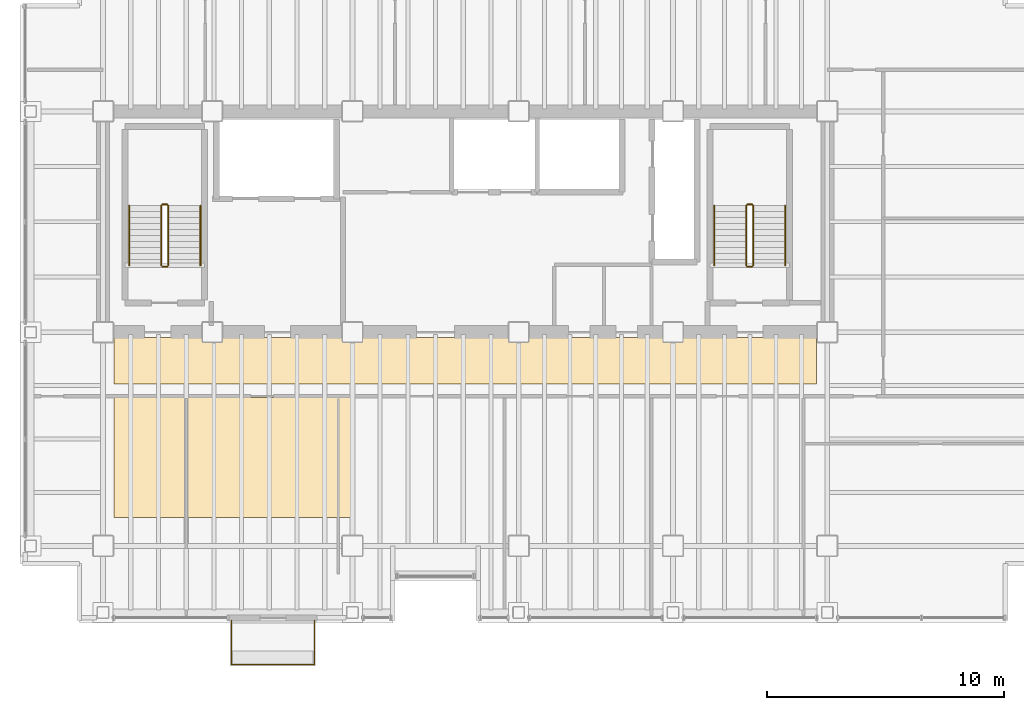
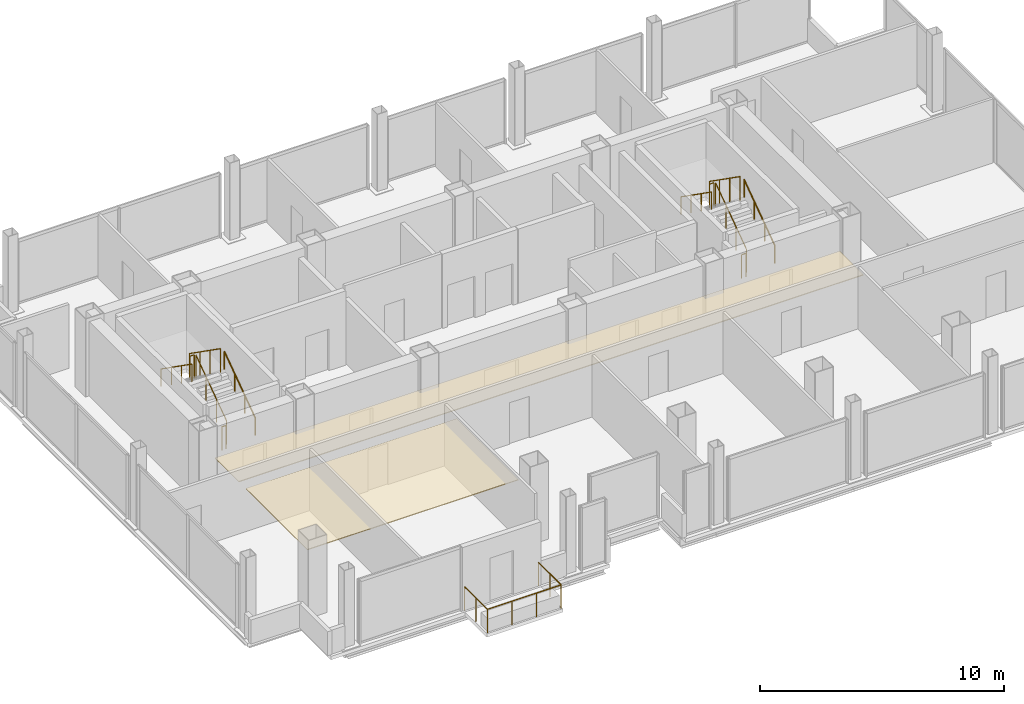
# One storey, part 15 of 15: 13 railings, 2 coverings.
"""IFC4 building model written with IfcOpenShell, lengths in metres."""

from ifc_helpers import new_model, si_unit, direction, frame, origin, origin_2d, place, context, subcontext, project, spatial, polyline, circle, outline, extrude, material, layer, layer_set, type_object, element, save


model = new_model("IFC4")

# Units and contexts
model_context = context("Model", 3, precision=1e-05, world=origin(), true_north=direction((0.0, 1.0)))
body_context = subcontext(model_context, "Body", "Model", "MODEL_VIEW")
ifc_project = project(units=[si_unit("LENGTHUNIT", "METRE"), si_unit("AREAUNIT", "SQUARE_METRE"), si_unit("VOLUMEUNIT", "CUBIC_METRE"), si_unit("PLANEANGLEUNIT", "RADIAN"), si_unit("MASSUNIT", "GRAM", prefix="KILO")], contexts=[model_context])

# Site, building, storey
site_placement = place(None, origin())
site = spatial("IfcSite", under=ifc_project, at=site_placement, CompositionType="ELEMENT")
building_placement = place(site_placement, origin())
building = spatial("IfcBuilding", under=site, at=building_placement, Name="Noeulbin Bourse Tower", CompositionType="ELEMENT")
storey_placement = place(building_placement, frame((0.0, 0.0, 173.39990234375)))
storey = spatial("IfcBuildingStorey", under=building, at=storey_placement, Name="L43", CompositionType="ELEMENT", Elevation=173.39990234375)

# Coverings
ifc_material_1 = material(Name="Perforated Mineral-Fibre Acoustic Tile")
ifc_layer_1 = layer(ifc_material_1, 0.0400390625)
ifc_layer_set_1 = layer_set([ifc_layer_1], Name="Perforated Mineral-Fibre Acoustic Tile")
covering_type = type_object("IfcCoveringType", Name="COV-CEIL-ACT", PredefinedType="CEILING", material=ifc_layer_set_1)
covering_1_placement = place(storey_placement, frame((0.0, 0.0, 2.110107421875)))
element("IfcCovering", 1, at=covering_1_placement, inside=storey, type_object=covering_type, Name="Corridor Suspended Ceiling L43", PredefinedType="CEILING", context=body_context, shape_type="SweptSolid", body=[
    extrude(outline(polyline([(13.949951171875, 26.820068359375), (43.550048828125, 26.820068359375), (43.550048828125, 28.780029296875), (13.949951171875, 28.780029296875), (13.949951171875, 26.820068359375)])), origin(), (0.0, 0.0, 1.0), 0.0400390625),
])
covering_2_placement = place(storey_placement, frame((0.0, 0.0, 2.110107421875)))
element("IfcCovering", 2, at=covering_2_placement, inside=storey, type_object=covering_type, Name="Trading Suite Acoustic Ceiling L43", PredefinedType="CEILING", context=body_context, shape_type="SweptSolid", body=[
    extrude(outline(polyline([(13.949951171875, 21.199951171875), (23.949951171875, 21.199951171875), (23.949951171875, 26.25), (13.949951171875, 26.25), (13.949951171875, 21.199951171875)])), origin(), (0.0, 0.0, 1.0), 0.0400390625),
])

# Railings
ifc_material_2 = material(Name="Laminated SentryGlas and Stainless Steel 316", Category="steel")
ifc_layer_2 = layer(ifc_material_2, 0.06005859375)
ifc_layer_set_2 = layer_set([ifc_layer_2], Name="Laminated SentryGlas and Stainless Steel 316")
railing_type_1 = type_object("IfcRailingType", Name="RLG-BAL-1200", PredefinedType="BALUSTRADE", material=ifc_layer_set_2)
railing_1_placement = place(storey_placement, frame((18.89990234375, 16.8701171875, 0.0)))
element("IfcRailing", 3, at=railing_1_placement, inside=storey, type_object=railing_type_1, Name="Tree-Balcony Glazed Balustrade L43", PredefinedType="BALUSTRADE", context=body_context, shape_type="SweptSolid", body=[
    extrude(circle(Radius=0.02392578125, at=origin_2d()), frame((0.0, 0.0, 1.17578125), z_axis=(0.0, -1.0, 0.0), x_axis=(1.0, 0.0, 0.0)), (0.0, 0.0, 1.0), 1.8701171875),
    extrude(circle(Radius=0.02392578125, at=origin_2d()), frame((0.0, -1.8701171875, 1.17578125), z_axis=(1.0, 0.0, 0.0), x_axis=(0.0, 1.0, 0.0)), (0.0, 0.0, 1.0), 3.5),
    extrude(circle(Radius=0.02392578125, at=origin_2d()), frame((3.5, -1.8701171875, 1.17578125), z_axis=(0.0, 1.0, 0.0), x_axis=(-1.0, 0.0, 0.0)), (0.0, 0.0, 1.0), 1.8701171875),
    extrude(circle(Radius=0.02099609375, at=origin_2d()), origin(), (0.0, 0.0, 1.0), 1.15185546875),
    extrude(circle(Radius=0.02099609375, at=origin_2d()), frame((0.0, -0.93505859375, 0.0)), (0.0, 0.0, 1.0), 1.15185546875),
    extrude(circle(Radius=0.02099609375, at=origin_2d()), frame((0.0, -1.8701171875, 0.0)), (0.0, 0.0, 1.0), 1.15185546875),
    extrude(circle(Radius=0.02099609375, at=origin_2d()), frame((1.166748046875, -1.8701171875, 0.0)), (0.0, 0.0, 1.0), 1.15185546875),
    extrude(circle(Radius=0.02099609375, at=origin_2d()), frame((2.333251953125, -1.8701171875, 0.0)), (0.0, 0.0, 1.0), 1.15185546875),
    extrude(circle(Radius=0.02099609375, at=origin_2d()), frame((3.5, -1.8701171875, 0.0)), (0.0, 0.0, 1.0), 1.15185546875),
    extrude(circle(Radius=0.02099609375, at=origin_2d()), frame((3.5, -0.93505859375, 0.0)), (0.0, 0.0, 1.0), 1.15185546875),
    extrude(circle(Radius=0.02099609375, at=origin_2d()), frame((3.5, 0.0, 0.0)), (0.0, 0.0, 1.0), 1.15185546875),
])
ifc_material_3 = material(Name="Painted Tubular Steel S355", Category="steel")
ifc_layer_3 = layer(ifc_material_3, 0.048095703125)
ifc_layer_set_3 = layer_set([ifc_layer_3], Name="Painted Tubular Steel S355")
railing_type_2 = type_object("IfcRailingType", Name="RLG-STR-GRD", PredefinedType="GUARDRAIL", material=ifc_layer_set_3)
railing_2_placement = place(storey_placement, frame((16.25, 31.81005859375, 0.177490234375)))
element("IfcRailing", 4, at=railing_2_placement, inside=storey, type_object=railing_type_2, Name="L43 ST-1 stair guard 1", PredefinedType="GUARDRAIL", context=body_context, shape_type="SweptSolid", body=[
    extrude(circle(Radius=0.02392578125, at=origin_2d()), frame((0.0, 0.0, 1.17578125), z_axis=(0.0, 0.817904474719, 0.575354039036), x_axis=(-1.0, 0.0, 0.0)), (0.0, 0.0, 1.0), 3.0810546875),
    extrude(circle(Radius=0.02099609375, at=origin_2d()), origin(), (0.0, 0.0, 1.0), 1.15185546875),
    extrude(circle(Radius=0.02099609375, at=origin_2d()), frame((0.0, 0.840087890625, 0.5908203125)), (0.0, 0.0, 1.0), 1.15185546875),
    extrude(circle(Radius=0.02099609375, at=origin_2d()), frame((0.0, 1.679931640625, 1.181884765625)), (0.0, 0.0, 1.0), 1.15185546875),
    extrude(circle(Radius=0.02099609375, at=origin_2d()), frame((0.0, 2.52001953125, 1.772705078125)), (0.0, 0.0, 1.0), 1.15185546875),
])
railing_3_placement = place(storey_placement, frame((16.199951171875, 34.3798828125, 1.9501953125)))
element("IfcRailing", 5, at=railing_3_placement, inside=storey, type_object=railing_type_2, Name="L43 ST-1 stair guard 2", PredefinedType="GUARDRAIL", context=body_context, shape_type="SweptSolid", body=[
    extrude(circle(Radius=0.02392578125, at=origin_2d()), frame((0.0, 0.0, 1.17578125), z_axis=(-1.0, 0.0, 0.0), x_axis=(0.0, -1.0, 0.0)), (0.0, 0.0, 1.0), 0.199951171875),
    extrude(circle(Radius=0.02099609375, at=origin_2d()), origin(), (0.0, 0.0, 1.0), 1.15185546875),
    extrude(circle(Radius=0.02099609375, at=origin_2d()), frame((-0.199951171875, 0.0, 0.0)), (0.0, 0.0, 1.0), 1.15185546875),
])
railing_4_placement = place(storey_placement, frame((15.949951171875, 34.330078125, 2.12744140625)))
element("IfcRailing", 6, at=railing_4_placement, inside=storey, type_object=railing_type_2, Name="L43 ST-1 stair guard 3", PredefinedType="GUARDRAIL", context=body_context, shape_type="SweptSolid", body=[
    extrude(circle(Radius=0.02392578125, at=origin_2d()), frame((0.0, 0.0, 1.17578125), z_axis=(0.0, -0.817904474719, 0.575354039036), x_axis=(1.0, 0.0, 0.0)), (0.0, 0.0, 1.0), 3.0810546875),
    extrude(circle(Radius=0.02099609375, at=origin_2d()), origin(), (0.0, 0.0, 1.0), 1.15185546875),
    extrude(circle(Radius=0.02099609375, at=origin_2d()), frame((0.0, -0.840087890625, 0.5908203125)), (0.0, 0.0, 1.0), 1.15185546875),
    extrude(circle(Radius=0.02099609375, at=origin_2d()), frame((0.0, -1.679931640625, 1.181884765625)), (0.0, 0.0, 1.0), 1.15185546875),
    extrude(circle(Radius=0.02099609375, at=origin_2d()), frame((0.0, -2.52001953125, 1.772705078125)), (0.0, 0.0, 1.0), 1.15185546875),
])
railing_5_placement = place(storey_placement, frame((16.199951171875, 31.760009765625, 0.0)))
element("IfcRailing", 7, at=railing_5_placement, inside=storey, type_object=railing_type_2, Name="L43 ST-1 stair guard 4", PredefinedType="GUARDRAIL", context=body_context, shape_type="SweptSolid", body=[
    extrude(circle(Radius=0.02392578125, at=origin_2d()), frame((0.0, 0.0, 1.17578125), z_axis=(-1.0, 0.0, 0.0), x_axis=(0.0, -1.0, 0.0)), (0.0, 0.0, 1.0), 0.199951171875),
    extrude(circle(Radius=0.02099609375, at=origin_2d()), origin(), (0.0, 0.0, 1.0), 1.15185546875),
    extrude(circle(Radius=0.02099609375, at=origin_2d()), frame((-0.199951171875, 0.0, 0.0)), (0.0, 0.0, 1.0), 1.15185546875),
])
railing_6_placement = place(storey_placement, frame((40.8798828125, 31.81005859375, 0.177490234375)))
element("IfcRailing", 8, at=railing_6_placement, inside=storey, type_object=railing_type_2, Name="L43 ST-2 stair guard 1", PredefinedType="GUARDRAIL", context=body_context, shape_type="SweptSolid", body=[
    extrude(circle(Radius=0.02392578125, at=origin_2d()), frame((0.0, 0.0, 1.17578125), z_axis=(0.0, 0.817904474719, 0.575354039036), x_axis=(-1.0, 0.0, 0.0)), (0.0, 0.0, 1.0), 3.0810546875),
    extrude(circle(Radius=0.02099609375, at=origin_2d()), origin(), (0.0, 0.0, 1.0), 1.15185546875),
    extrude(circle(Radius=0.02099609375, at=origin_2d()), frame((0.0, 0.840087890625, 0.5908203125)), (0.0, 0.0, 1.0), 1.15185546875),
    extrude(circle(Radius=0.02099609375, at=origin_2d()), frame((0.0, 1.679931640625, 1.181884765625)), (0.0, 0.0, 1.0), 1.15185546875),
    extrude(circle(Radius=0.02099609375, at=origin_2d()), frame((0.0, 2.52001953125, 1.772705078125)), (0.0, 0.0, 1.0), 1.15185546875),
])
railing_7_placement = place(storey_placement, frame((40.830078125, 34.3798828125, 1.9501953125)))
element("IfcRailing", 9, at=railing_7_placement, inside=storey, type_object=railing_type_2, Name="L43 ST-2 stair guard 2", PredefinedType="GUARDRAIL", context=body_context, shape_type="SweptSolid", body=[
    extrude(circle(Radius=0.02392578125, at=origin_2d()), frame((0.0, 0.0, 1.17578125), z_axis=(-1.0, 0.0, 0.0), x_axis=(0.0, -1.0, 0.0)), (0.0, 0.0, 1.0), 0.2001953125),
    extrude(circle(Radius=0.02099609375, at=origin_2d()), origin(), (0.0, 0.0, 1.0), 1.15185546875),
    extrude(circle(Radius=0.02099609375, at=origin_2d()), frame((-0.2001953125, 0.0, 0.0)), (0.0, 0.0, 1.0), 1.15185546875),
])
railing_8_placement = place(storey_placement, frame((40.580078125, 34.330078125, 2.12744140625)))
element("IfcRailing", 10, at=railing_8_placement, inside=storey, type_object=railing_type_2, Name="L43 ST-2 stair guard 3", PredefinedType="GUARDRAIL", context=body_context, shape_type="SweptSolid", body=[
    extrude(circle(Radius=0.02392578125, at=origin_2d()), frame((0.0, 0.0, 1.17578125), z_axis=(0.0, -0.817904474719, 0.575354039036), x_axis=(1.0, 0.0, 0.0)), (0.0, 0.0, 1.0), 3.0810546875),
    extrude(circle(Radius=0.02099609375, at=origin_2d()), origin(), (0.0, 0.0, 1.0), 1.15185546875),
    extrude(circle(Radius=0.02099609375, at=origin_2d()), frame((0.0, -0.840087890625, 0.5908203125)), (0.0, 0.0, 1.0), 1.15185546875),
    extrude(circle(Radius=0.02099609375, at=origin_2d()), frame((0.0, -1.679931640625, 1.181884765625)), (0.0, 0.0, 1.0), 1.15185546875),
    extrude(circle(Radius=0.02099609375, at=origin_2d()), frame((0.0, -2.52001953125, 1.772705078125)), (0.0, 0.0, 1.0), 1.15185546875),
])
railing_9_placement = place(storey_placement, frame((40.830078125, 31.760009765625, 0.0)))
element("IfcRailing", 11, at=railing_9_placement, inside=storey, type_object=railing_type_2, Name="L43 ST-2 stair guard 4", PredefinedType="GUARDRAIL", context=body_context, shape_type="SweptSolid", body=[
    extrude(circle(Radius=0.02392578125, at=origin_2d()), frame((0.0, 0.0, 1.17578125), z_axis=(-1.0, 0.0, 0.0), x_axis=(0.0, -1.0, 0.0)), (0.0, 0.0, 1.0), 0.2001953125),
    extrude(circle(Radius=0.02099609375, at=origin_2d()), origin(), (0.0, 0.0, 1.0), 1.15185546875),
    extrude(circle(Radius=0.02099609375, at=origin_2d()), frame((-0.2001953125, 0.0, 0.0)), (0.0, 0.0, 1.0), 1.15185546875),
])
ifc_material_4 = material(Name="Brushed Stainless Steel 316", Category="steel")
ifc_layer_4 = layer(ifc_material_4, 0.048095703125)
ifc_layer_set_4 = layer_set([ifc_layer_4], Name="Brushed Stainless Steel 316")
railing_type_3 = type_object("IfcRailingType", Name="RLG-STR-HND", PredefinedType="HANDRAIL", material=ifc_layer_set_4)
railing_10_placement = place(storey_placement, frame((17.60009765625, 31.81005859375, 0.177490234375)))
element("IfcRailing", 12, at=railing_10_placement, inside=storey, type_object=railing_type_3, Name="L43 ST-1 stair handrail 1", PredefinedType="HANDRAIL", context=body_context, shape_type="SweptSolid", body=[
    extrude(circle(Radius=0.02392578125, at=origin_2d()), frame((0.0, 0.0, 0.8759765625), z_axis=(0.0, 0.817904474719, 0.575354039036), x_axis=(-1.0, 0.0, 0.0)), (0.0, 0.0, 1.0), 3.0810546875),
    extrude(circle(Radius=0.02099609375, at=origin_2d()), origin(), (0.0, 0.0, 1.0), 0.851806640625),
    extrude(circle(Radius=0.02099609375, at=origin_2d()), frame((0.0, 0.840087890625, 0.5908203125)), (0.0, 0.0, 1.0), 0.851806640625),
    extrude(circle(Radius=0.02099609375, at=origin_2d()), frame((0.0, 1.679931640625, 1.181884765625)), (0.0, 0.0, 1.0), 0.851806640625),
    extrude(circle(Radius=0.02099609375, at=origin_2d()), frame((0.0, 2.52001953125, 1.772705078125)), (0.0, 0.0, 1.0), 0.851806640625),
])
railing_11_placement = place(storey_placement, frame((14.60009765625, 34.330078125, 2.12744140625)))
element("IfcRailing", 13, at=railing_11_placement, inside=storey, type_object=railing_type_3, Name="L43 ST-1 stair handrail 2", PredefinedType="HANDRAIL", context=body_context, shape_type="SweptSolid", body=[
    extrude(circle(Radius=0.02392578125, at=origin_2d()), frame((0.0, 0.0, 0.8759765625), z_axis=(0.0, -0.817904474719, 0.575354039036), x_axis=(1.0, 0.0, 0.0)), (0.0, 0.0, 1.0), 3.0810546875),
    extrude(circle(Radius=0.02099609375, at=origin_2d()), origin(), (0.0, 0.0, 1.0), 0.851806640625),
    extrude(circle(Radius=0.02099609375, at=origin_2d()), frame((0.0, -0.840087890625, 0.5908203125)), (0.0, 0.0, 1.0), 0.851806640625),
    extrude(circle(Radius=0.02099609375, at=origin_2d()), frame((0.0, -1.679931640625, 1.181884765625)), (0.0, 0.0, 1.0), 0.851806640625),
    extrude(circle(Radius=0.02099609375, at=origin_2d()), frame((0.0, -2.52001953125, 1.772705078125)), (0.0, 0.0, 1.0), 0.851806640625),
])
railing_12_placement = place(storey_placement, frame((42.22998046875, 31.81005859375, 0.177490234375)))
element("IfcRailing", 14, at=railing_12_placement, inside=storey, type_object=railing_type_3, Name="L43 ST-2 stair handrail 1", PredefinedType="HANDRAIL", context=body_context, shape_type="SweptSolid", body=[
    extrude(circle(Radius=0.02392578125, at=origin_2d()), frame((0.0, 0.0, 0.8759765625), z_axis=(0.0, 0.817904474719, 0.575354039036), x_axis=(-1.0, 0.0, 0.0)), (0.0, 0.0, 1.0), 3.0810546875),
    extrude(circle(Radius=0.02099609375, at=origin_2d()), origin(), (0.0, 0.0, 1.0), 0.851806640625),
    extrude(circle(Radius=0.02099609375, at=origin_2d()), frame((0.0, 0.840087890625, 0.5908203125)), (0.0, 0.0, 1.0), 0.851806640625),
    extrude(circle(Radius=0.02099609375, at=origin_2d()), frame((0.0, 1.679931640625, 1.181884765625)), (0.0, 0.0, 1.0), 0.851806640625),
    extrude(circle(Radius=0.02099609375, at=origin_2d()), frame((0.0, 2.52001953125, 1.772705078125)), (0.0, 0.0, 1.0), 0.851806640625),
])
railing_13_placement = place(storey_placement, frame((39.22998046875, 34.330078125, 2.12744140625)))
element("IfcRailing", 15, at=railing_13_placement, inside=storey, type_object=railing_type_3, Name="L43 ST-2 stair handrail 2", PredefinedType="HANDRAIL", context=body_context, shape_type="SweptSolid", body=[
    extrude(circle(Radius=0.02392578125, at=origin_2d()), frame((0.0, 0.0, 0.8759765625), z_axis=(0.0, -0.817904474719, 0.575354039036), x_axis=(1.0, 0.0, 0.0)), (0.0, 0.0, 1.0), 3.0810546875),
    extrude(circle(Radius=0.02099609375, at=origin_2d()), origin(), (0.0, 0.0, 1.0), 0.851806640625),
    extrude(circle(Radius=0.02099609375, at=origin_2d()), frame((0.0, -0.840087890625, 0.5908203125)), (0.0, 0.0, 1.0), 0.851806640625),
    extrude(circle(Radius=0.02099609375, at=origin_2d()), frame((0.0, -1.679931640625, 1.181884765625)), (0.0, 0.0, 1.0), 0.851806640625),
    extrude(circle(Radius=0.02099609375, at=origin_2d()), frame((0.0, -2.52001953125, 1.772705078125)), (0.0, 0.0, 1.0), 0.851806640625),
])

save(model, "model.ifc")
